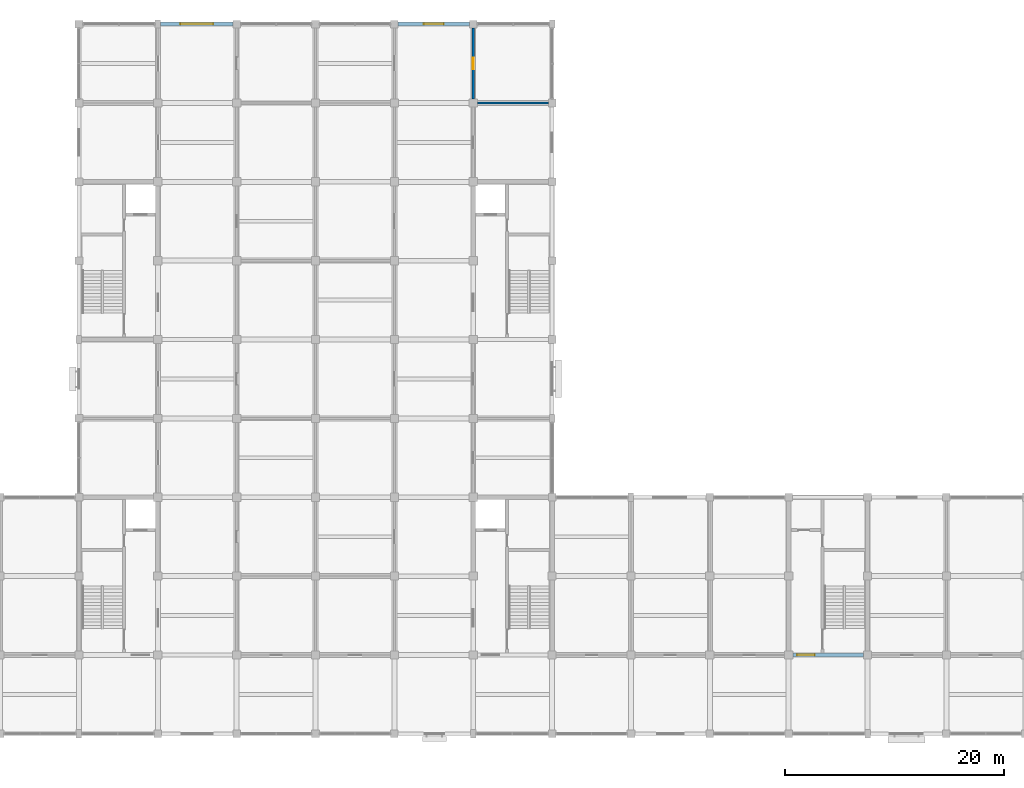
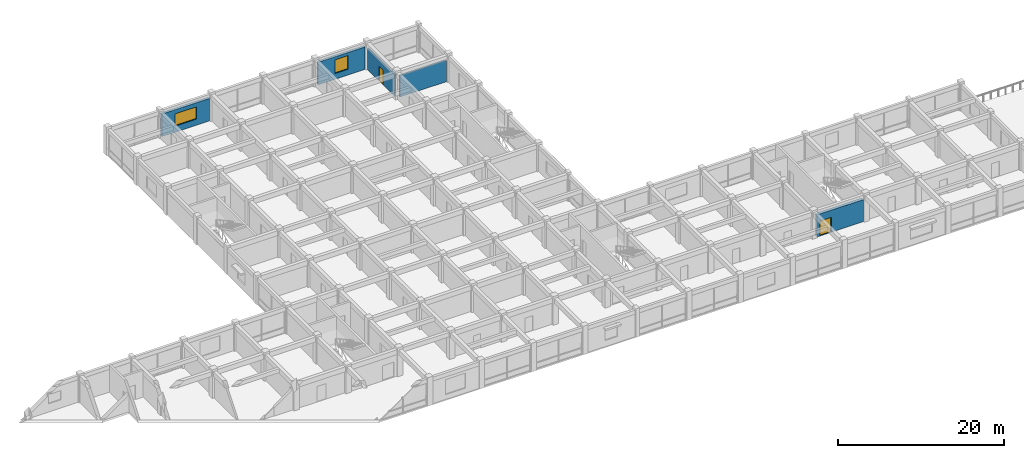
# One storey, part 23 of 31: 5 walls, 2 doors, 2 windows, 4 openings.
"""IFC4 building model written with IfcOpenShell, lengths in metres."""

from ifc_helpers import new_model, si_unit, direction, frame, frame_2d, origin, place, context, subcontext, project, spatial, rectangle, extrude, material, layer, layer_set, type_object, element, fill, save


model = new_model("IFC4")

# Units and contexts
model_context = context("Model", 3, precision=1e-05, world=origin(), true_north=direction((0.0, 1.0)))
body_context = subcontext(model_context, "Body", "Model", "MODEL_VIEW")
ifc_project = project(units=[si_unit("LENGTHUNIT", "METRE"), si_unit("AREAUNIT", "SQUARE_METRE"), si_unit("VOLUMEUNIT", "CUBIC_METRE"), si_unit("PLANEANGLEUNIT", "RADIAN"), si_unit("MASSUNIT", "GRAM", prefix="KILO")], contexts=[model_context])

# Site, building, storey
site_placement = place(None, origin())
site = spatial("IfcSite", under=ifc_project, at=site_placement, CompositionType="ELEMENT")
building_placement = place(site_placement, origin())
building = spatial("IfcBuilding", under=site, at=building_placement, Name="Cendaluz Park School", CompositionType="ELEMENT")
storey_placement = place(building_placement, frame((0.0, 0.0, 14.39990234375)))
storey = spatial("IfcBuildingStorey", under=building, at=storey_placement, Name="L03", CompositionType="ELEMENT", Elevation=14.39990234375)

# Wall
ifc_material_1 = material(Name="Gypsum Plasterboard on Cold-Formed Stud", Category="gypsum")
ifc_layer_1 = layer(ifc_material_1, 0.199951171875)
ifc_layer_set_1 = layer_set([ifc_layer_1], Name="Gypsum Plasterboard on Cold-Formed Stud")
wall_type_1 = type_object("IfcWallType", Name="W-AC20", PredefinedType="PARTITIONING", material=ifc_layer_set_1)
wall_1_placement = place(storey_placement, frame((101.175048828125, 64.800048828125, 0.0), z_axis=(0.0, 0.0, 1.0), x_axis=(1.0, 0.0, 0.0)))
element("IfcWall", 1, at=wall_1_placement, inside=storey, type_object=wall_type_1, Name="WL-FD-BS7", PredefinedType="PARTITIONING", context=body_context, shape_type="SweptSolid", body=[
    extrude(rectangle(XDim=6.474853515625, YDim=0.199951171875, at=frame_2d((3.2373046875, 0.0))), origin(), (0.0, 0.0, 1.0), 3.170166015625),
])

# Wall, opening, door
wall_2_placement = place(storey_placement, frame((100.800048828125, 65.175048828125, 0.0), z_axis=(0.0, 0.0, 1.0), x_axis=(0.0, 1.0, 0.0)))
wall_2 = element("IfcWall", 2, at=wall_2_placement, inside=storey, type_object=wall_type_1, Name="WL-FD-BS9", PredefinedType="PARTITIONING", context=body_context, shape_type="SweptSolid", body=[
    extrude(rectangle(XDim=6.474853515625, YDim=0.199951171875, at=frame_2d((3.2373046875, 0.0))), origin(), (0.0, 0.0, 1.0), 3.170166015625),
])
opening_1_placement = place(wall_2_placement, frame((2.70751953125, 0.0, 0.0)))
opening_1 = element("IfcOpeningElement", 3, at=opening_1_placement, cuts=wall_2, Name="Opening DCL-04", PredefinedType="OPENING", context=body_context, shape_type="SweptSolid", body=[
    extrude(rectangle(XDim=1.06005859375, YDim=2.159912109375, at=frame_2d((0.530029296875, 1.080078125))), frame((0.0, 0.112060546875, 0.0), z_axis=(0.0, -1.0, 0.0), x_axis=(1.0, 0.0, 0.0)), (0.0, 0.0, 1.0), 0.223876953125),
])
ifc_material_2 = material(Name="Solid Core Hardwood", Category="wood")
door_type_1 = type_object("IfcDoorType", Name="DCL-04", OperationType="NOTDEFINED", PredefinedType="DOOR", material=ifc_material_2)
door_1_placement = place(opening_1_placement, frame((1.06005859375, 0.0, 0.0), z_axis=(0.0, 0.0, 1.0), x_axis=(-1.0, 0.0, 0.0)))
door_1 = element("IfcDoor", 4, at=door_1_placement, inside=storey, type_object=door_type_1, Name="D-L03-058", OperationType="SINGLE_SWING_RIGHT", OverallHeight=2.159912109375, OverallWidth=1.06005859375, PredefinedType="DOOR", context=body_context, shape_type="SweptSolid", body=[
    extrude(rectangle(XDim=1.06005859375, YDim=2.159912109375, at=frame_2d((0.530029296875, 1.080078125))), frame((0.0, 0.02490234375, 0.0), z_axis=(0.0, -1.0, 0.0), x_axis=(1.0, 0.0, 0.0)), (0.0, 0.0, 1.0), 0.050048828125),
])
fill(opening_1, door_1)

# Wall, opening, window
ifc_material_3 = material(Name="Concrete C40/50 precast", Category="concrete")
ifc_layer_2 = layer(ifc_material_3, 0.340087890625)
ifc_layer_set_2 = layer_set([ifc_layer_2], Name="Concrete C40/50 precast")
wall_type_2 = type_object("IfcWallType", Name="W-EX34", PredefinedType="SOLIDWALL", material=ifc_layer_set_2)
wall_3_placement = place(storey_placement, frame((72.25, 72.0, 0.0), z_axis=(0.0, 0.0, 1.0), x_axis=(1.0, 0.0, 0.0)))
wall_3 = element("IfcWall", 5, at=wall_3_placement, inside=storey, type_object=wall_type_2, Name="WL-FD-AB0", PredefinedType="SOLIDWALL", context=body_context, shape_type="SweptSolid", body=[
    extrude(rectangle(XDim=6.60009765625, YDim=0.340087890625, at=frame_2d((3.300048828125, 0.0))), origin(), (0.0, 0.0, 1.0), 3.31005859375),
])
opening_2_placement = place(wall_3_placement, frame((1.800048828125, 0.0, 0.89990234375)))
opening_2 = element("IfcOpeningElement", 6, at=opening_2_placement, cuts=wall_3, Name="Opening WN-07", PredefinedType="OPENING", context=body_context, shape_type="SweptSolid", body=[
    extrude(rectangle(XDim=3.0, YDim=1.800048828125, at=frame_2d((1.5, 0.89990234375))), frame((0.0, 0.18212890625, 0.0), z_axis=(0.0, -1.0, 0.0), x_axis=(1.0, 0.0, 0.0)), (0.0, 0.0, 1.0), 0.364013671875),
])
ifc_material_4 = material(Name="Tempered Low-E Double Glazing", Category="glass")
window_type_1 = type_object("IfcWindowType", Name="WN-07", PartitioningType="SINGLE_PANEL", PredefinedType="WINDOW", material=ifc_material_4)
window_1_placement = place(opening_2_placement, origin())
window_1 = element("IfcWindow", 7, at=window_1_placement, inside=storey, type_object=window_type_1, Name="WN-L03-010", OverallHeight=1.800048828125, OverallWidth=3.0, PartitioningType="SINGLE_PANEL", PredefinedType="WINDOW", context=body_context, shape_type="SweptSolid", body=[
    extrude(rectangle(XDim=3.0, YDim=1.800048828125, at=frame_2d((1.5, 0.89990234375))), frame((0.0, 0.030029296875, 0.0), z_axis=(0.0, -1.0, 0.0), x_axis=(1.0, 0.0, 0.0)), (0.0, 0.0, 1.0), 0.06005859375),
])
fill(opening_2, window_1)

wall_4_placement = place(storey_placement, frame((93.949951171875, 72.0, 0.0), z_axis=(0.0, 0.0, 1.0), x_axis=(1.0, 0.0, 0.0)))
wall_4 = element("IfcWall", 8, at=wall_4_placement, inside=storey, type_object=wall_type_2, Name="WL-FD-AB2", PredefinedType="SOLIDWALL", context=body_context, shape_type="SweptSolid", body=[
    extrude(rectangle(XDim=6.5, YDim=0.340087890625, at=frame_2d((3.25, 0.0))), origin(), (0.0, 0.0, 1.0), 3.31005859375),
])
opening_3_placement = place(wall_4_placement, frame((2.35009765625, 0.0, 0.85009765625)))
opening_3 = element("IfcOpeningElement", 9, at=opening_3_placement, cuts=wall_4, Name="Opening WN-10", PredefinedType="OPENING", context=body_context, shape_type="SweptSolid", body=[
    extrude(rectangle(XDim=1.800048828125, YDim=2.0, at=frame_2d((0.89990234375, 1.0))), frame((0.0, 0.18212890625, 0.0), z_axis=(0.0, -1.0, 0.0), x_axis=(1.0, 0.0, 0.0)), (0.0, 0.0, 1.0), 0.364013671875),
])
window_type_2 = type_object("IfcWindowType", Name="WN-10", PartitioningType="SINGLE_PANEL", PredefinedType="WINDOW", material=ifc_material_4)
window_2_placement = place(opening_3_placement, origin())
window_2 = element("IfcWindow", 10, at=window_2_placement, inside=storey, type_object=window_type_2, Name="WN-L03-012", OverallHeight=2.0, OverallWidth=1.800048828125, PartitioningType="SINGLE_PANEL", PredefinedType="WINDOW", context=body_context, shape_type="SweptSolid", body=[
    extrude(rectangle(XDim=1.800048828125, YDim=2.0, at=frame_2d((0.89990234375, 1.0))), frame((0.0, 0.030029296875, 0.0), z_axis=(0.0, -1.0, 0.0), x_axis=(1.0, 0.0, 0.0)), (0.0, 0.0, 1.0), 0.06005859375),
])
fill(opening_3, window_2)

# Wall, opening, door
ifc_material_5 = material(Name="Concrete C40/50", Category="concrete")
ifc_layer_3 = layer(ifc_material_5, 0.39990234375)
ifc_layer_set_3 = layer_set([ifc_layer_3], Name="Concrete C40/50")
wall_type_3 = type_object("IfcWallType", Name="W-SH40", PredefinedType="SHEAR", material=ifc_layer_set_3)
wall_5_placement = place(storey_placement, frame((129.97509765625, 14.39990234375, 0.0), z_axis=(0.0, 0.0, 1.0), x_axis=(1.0, 0.0, 0.0)))
wall_5 = element("IfcWall", 11, at=wall_5_placement, inside=storey, type_object=wall_type_3, Name="WL-FD-BL1", PredefinedType="SHEAR", context=body_context, shape_type="SweptSolid", body=[
    extrude(rectangle(XDim=6.449951171875, YDim=0.39990234375, at=frame_2d((3.22509765625, 0.0))), origin(), (0.0, 0.0, 1.0), 3.239990234375),
])
opening_4_placement = place(wall_5_placement, frame((0.405029296875, 0.0, 0.0)))
opening_4 = element("IfcOpeningElement", 12, at=opening_4_placement, cuts=wall_5, Name="Opening DLB-01", PredefinedType="OPENING", context=body_context, shape_type="SweptSolid", body=[
    extrude(rectangle(XDim=1.60009765625, YDim=2.199951171875, at=frame_2d((0.800048828125, 1.10009765625))), frame((0.0, 0.2119140625, 0.0), z_axis=(0.0, -1.0, 0.0), x_axis=(1.0, 0.0, 0.0)), (0.0, 0.0, 1.0), 0.423828125),
])
door_type_2 = type_object("IfcDoorType", Name="DLB-01", OperationType="DOUBLE_DOOR_SINGLE_SWING", PredefinedType="DOOR", material=ifc_material_2)
door_2_placement = place(opening_4_placement, origin())
door_2 = element("IfcDoor", 13, at=door_2_placement, inside=storey, type_object=door_type_2, Name="D-L03-025", OperationType="DOUBLE_DOOR_SINGLE_SWING", OverallHeight=2.199951171875, OverallWidth=1.60009765625, PredefinedType="DOOR", context=body_context, shape_type="SweptSolid", body=[
    extrude(rectangle(XDim=1.60009765625, YDim=2.199951171875, at=frame_2d((0.800048828125, 1.10009765625))), frame((0.0, 0.02490234375, 0.0), z_axis=(0.0, -1.0, 0.0), x_axis=(1.0, 0.0, 0.0)), (0.0, 0.0, 1.0), 0.050048828125),
])
fill(opening_4, door_2)

save(model, "model.ifc")
